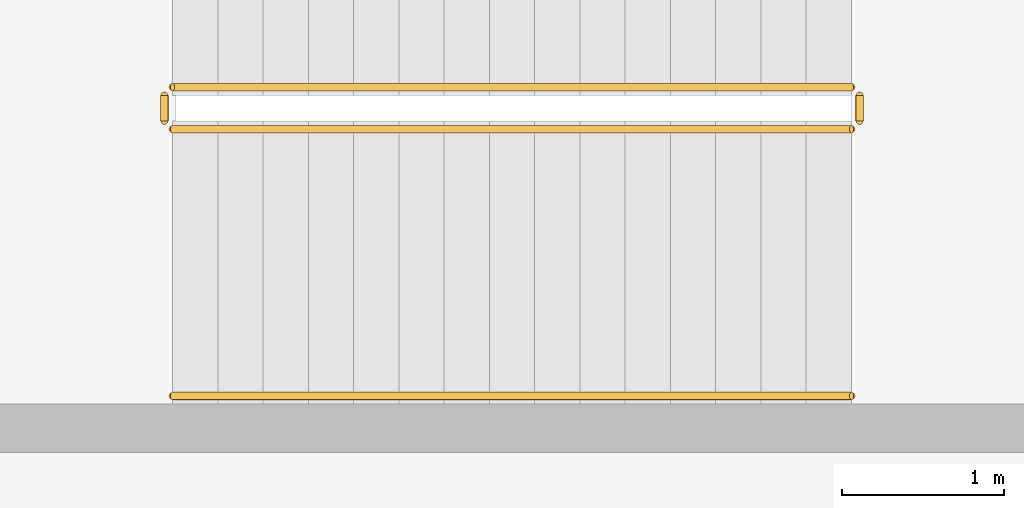
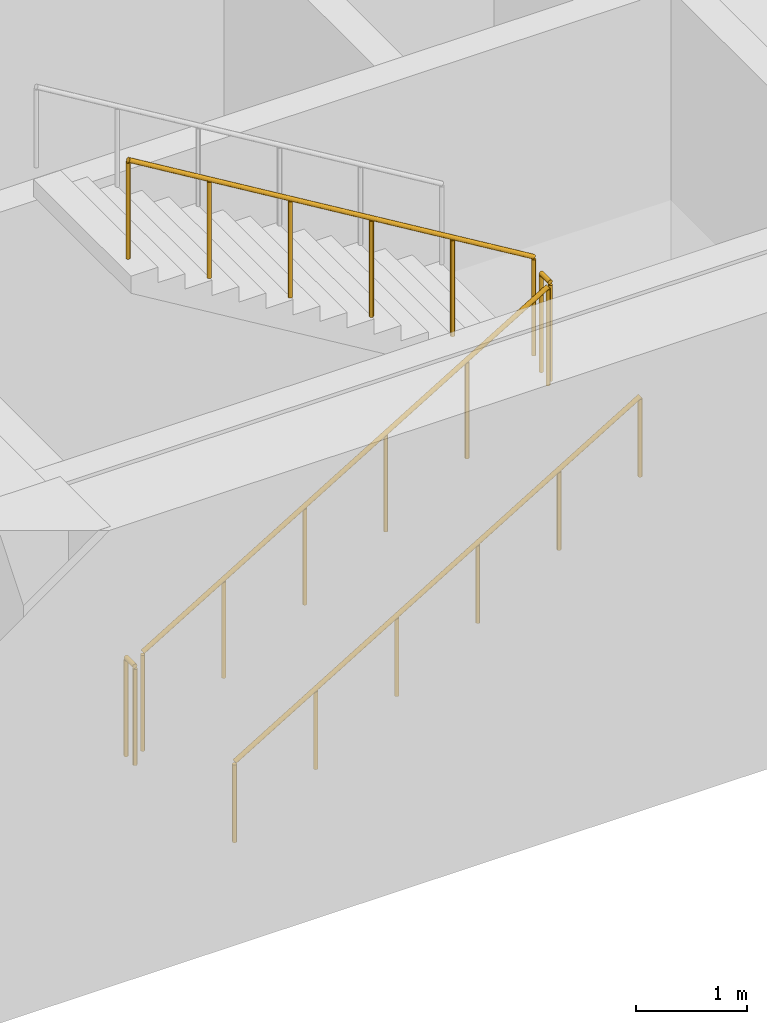
# One storey, part 14 of 19: 5 railings.
"""IFC4 building model written with IfcOpenShell, lengths in metres."""

from ifc_helpers import new_model, si_unit, direction, frame, origin, origin_2d, place, context, subcontext, project, spatial, circle, extrude, material, type_object, element, save


model = new_model("IFC4")

# Units and contexts
model_context = context("Model", 3, precision=1e-05, world=origin(), true_north=direction((0.0, 1.0)))
body_context = subcontext(model_context, "Body", "Model", "MODEL_VIEW")
ifc_project = project(units=[si_unit("LENGTHUNIT", "METRE"), si_unit("AREAUNIT", "SQUARE_METRE"), si_unit("VOLUMEUNIT", "CUBIC_METRE"), si_unit("PLANEANGLEUNIT", "RADIAN"), si_unit("MASSUNIT", "GRAM", prefix="KILO")], contexts=[model_context])

# Site, building, storey
site_placement = place(None, origin())
site = spatial("IfcSite", under=ifc_project, at=site_placement, CompositionType="ELEMENT")
building_placement = place(site_placement, origin())
building = spatial("IfcBuilding", under=site, at=building_placement, Name="Coralgate Yard Interchange", CompositionType="ELEMENT")
storey_placement = place(building_placement, frame((0.0, 0.0, -5.39990234375)))
storey = spatial("IfcBuildingStorey", under=building, at=storey_placement, Name="B1", CompositionType="ELEMENT", Elevation=-5.39990234375)

# Railings
ifc_material_1 = material(Name="Grade 316 marine stainless steel and toughened glass balustrade", Category="steel")
railing_type_1 = type_object("IfcRailingType", Name="RLG-GD1100", PredefinedType="BALUSTRADE", material=ifc_material_1)
railing_1_placement = place(storey_placement, frame((88.800048828125, 40.75, 0.168701171875)))
element("IfcRailing", 1, at=railing_1_placement, inside=storey, type_object=railing_type_1, Name="B1 ST-06 stair guard 1", PredefinedType="BALUSTRADE", context=body_context, shape_type="SweptSolid", body=[
    extrude(circle(Radius=0.02392578125, at=origin_2d()), frame((0.0, 0.0, 1.076171875), z_axis=(0.856476492594, 0.0, 0.516186030065), x_axis=(0.0, 1.0, 0.0)), (0.0, 0.0, 1.0), 4.90380859375),
    extrude(circle(Radius=0.02099609375, at=origin_2d()), origin(), (0.0, 0.0, 1.0), 1.051513671875),
    extrude(circle(Radius=0.02099609375, at=origin_2d()), frame((0.840087890625, 0.0, 0.50634765625)), (0.0, 0.0, 1.0), 1.051513671875),
    extrude(circle(Radius=0.02099609375, at=origin_2d()), frame((1.679931640625, 0.0, 1.012451171875)), (0.0, 0.0, 1.0), 1.051513671875),
    extrude(circle(Radius=0.02099609375, at=origin_2d()), frame((2.52001953125, 0.0, 1.518798828125)), (0.0, 0.0, 1.0), 1.051513671875),
    extrude(circle(Radius=0.02099609375, at=origin_2d()), frame((3.35986328125, 0.0, 2.02490234375)), (0.0, 0.0, 1.0), 1.051513671875),
    extrude(circle(Radius=0.02099609375, at=origin_2d()), frame((4.199951171875, 0.0, 2.53125)), (0.0, 0.0, 1.0), 1.051513671875),
])
railing_2_placement = place(storey_placement, frame((93.050048828125, 40.800048828125, 2.699951171875)))
element("IfcRailing", 2, at=railing_2_placement, inside=storey, type_object=railing_type_1, Name="B1 ST-06 stair guard 2", PredefinedType="BALUSTRADE", context=body_context, shape_type="SweptSolid", body=[
    extrude(circle(Radius=0.02392578125, at=origin_2d()), frame((0.0, 0.0, 1.076171875), z_axis=(0.0, 1.0, 0.0), x_axis=(-1.0, 0.0, 0.0)), (0.0, 0.0, 1.0), 0.159912109375),
    extrude(circle(Radius=0.02099609375, at=origin_2d()), origin(), (0.0, 0.0, 1.0), 1.051513671875),
    extrude(circle(Radius=0.02099609375, at=origin_2d()), frame((0.0, 0.159912109375, 0.0)), (0.0, 0.0, 1.0), 1.051513671875),
])
railing_3_placement = place(storey_placement, frame((93.0, 41.010009765625, 2.86865234375)))
element("IfcRailing", 3, at=railing_3_placement, inside=storey, type_object=railing_type_1, Name="B1 ST-06 stair guard 3", PredefinedType="BALUSTRADE", context=body_context, shape_type="SweptSolid", body=[
    extrude(circle(Radius=0.02392578125, at=origin_2d()), frame((0.0, 0.0, 1.076171875), z_axis=(-0.856476492594, 0.0, 0.516186030065), x_axis=(0.0, -1.0, 0.0)), (0.0, 0.0, 1.0), 4.90380859375),
    extrude(circle(Radius=0.02099609375, at=origin_2d()), origin(), (0.0, 0.0, 1.0), 1.051513671875),
    extrude(circle(Radius=0.02099609375, at=origin_2d()), frame((-0.840087890625, 0.0, 0.50634765625)), (0.0, 0.0, 1.0), 1.051513671875),
    extrude(circle(Radius=0.02099609375, at=origin_2d()), frame((-1.679931640625, 0.0, 1.012451171875)), (0.0, 0.0, 1.0), 1.051513671875),
    extrude(circle(Radius=0.02099609375, at=origin_2d()), frame((-2.52001953125, 0.0, 1.518798828125)), (0.0, 0.0, 1.0), 1.051513671875),
    extrude(circle(Radius=0.02099609375, at=origin_2d()), frame((-3.35986328125, 0.0, 2.02490234375)), (0.0, 0.0, 1.0), 1.051513671875),
    extrude(circle(Radius=0.02099609375, at=origin_2d()), frame((-4.199951171875, 0.0, 2.53125)), (0.0, 0.0, 1.0), 1.051513671875),
])
railing_4_placement = place(storey_placement, frame((88.75, 40.800048828125, 0.0)))
element("IfcRailing", 4, at=railing_4_placement, inside=storey, type_object=railing_type_1, Name="B1 ST-06 stair guard 4", PredefinedType="BALUSTRADE", context=body_context, shape_type="SweptSolid", body=[
    extrude(circle(Radius=0.02392578125, at=origin_2d()), frame((0.0, 0.0, 1.076171875), z_axis=(0.0, 1.0, 0.0), x_axis=(-1.0, 0.0, 0.0)), (0.0, 0.0, 1.0), 0.159912109375),
    extrude(circle(Radius=0.02099609375, at=origin_2d()), origin(), (0.0, 0.0, 1.0), 1.051513671875),
    extrude(circle(Radius=0.02099609375, at=origin_2d()), frame((0.0, 0.159912109375, 0.0)), (0.0, 0.0, 1.0), 1.051513671875),
])
ifc_material_2 = material(Name="Grade 316 marine stainless steel", Category="steel")
railing_type_2 = type_object("IfcRailingType", Name="RLG-HR900", PredefinedType="HANDRAIL", material=ifc_material_2)
railing_5_placement = place(storey_placement, frame((88.800048828125, 39.10009765625, 0.168701171875)))
element("IfcRailing", 5, at=railing_5_placement, inside=storey, type_object=railing_type_2, Name="B1 ST-06 stair handrail 1", PredefinedType="HANDRAIL", context=body_context, shape_type="SweptSolid", body=[
    extrude(circle(Radius=0.02392578125, at=origin_2d()), frame((0.0, 0.0, 0.8759765625), z_axis=(0.856476492594, 0.0, 0.516186030065), x_axis=(0.0, 1.0, 0.0)), (0.0, 0.0, 1.0), 4.90380859375),
    extrude(circle(Radius=0.02099609375, at=origin_2d()), origin(), (0.0, 0.0, 1.0), 0.851318359375),
    extrude(circle(Radius=0.02099609375, at=origin_2d()), frame((0.840087890625, 0.0, 0.50634765625)), (0.0, 0.0, 1.0), 0.851318359375),
    extrude(circle(Radius=0.02099609375, at=origin_2d()), frame((1.679931640625, 0.0, 1.012451171875)), (0.0, 0.0, 1.0), 0.851318359375),
    extrude(circle(Radius=0.02099609375, at=origin_2d()), frame((2.52001953125, 0.0, 1.518798828125)), (0.0, 0.0, 1.0), 0.851318359375),
    extrude(circle(Radius=0.02099609375, at=origin_2d()), frame((3.35986328125, 0.0, 2.02490234375)), (0.0, 0.0, 1.0), 0.851318359375),
    extrude(circle(Radius=0.02099609375, at=origin_2d()), frame((4.199951171875, 0.0, 2.53125)), (0.0, 0.0, 1.0), 0.851318359375),
])

save(model, "model.ifc")
